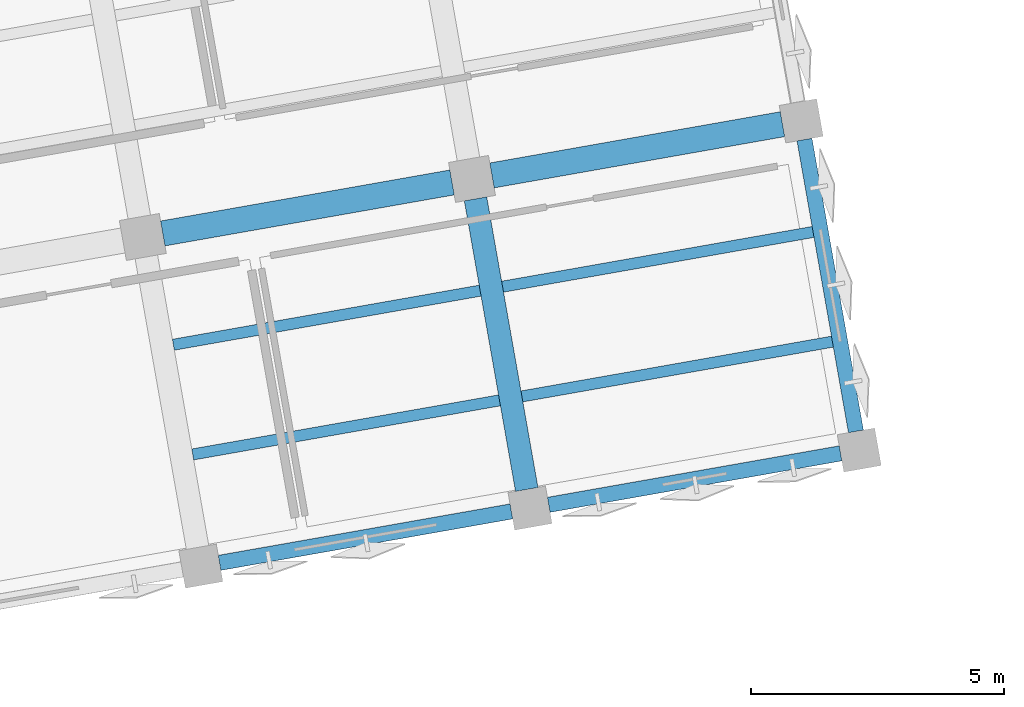
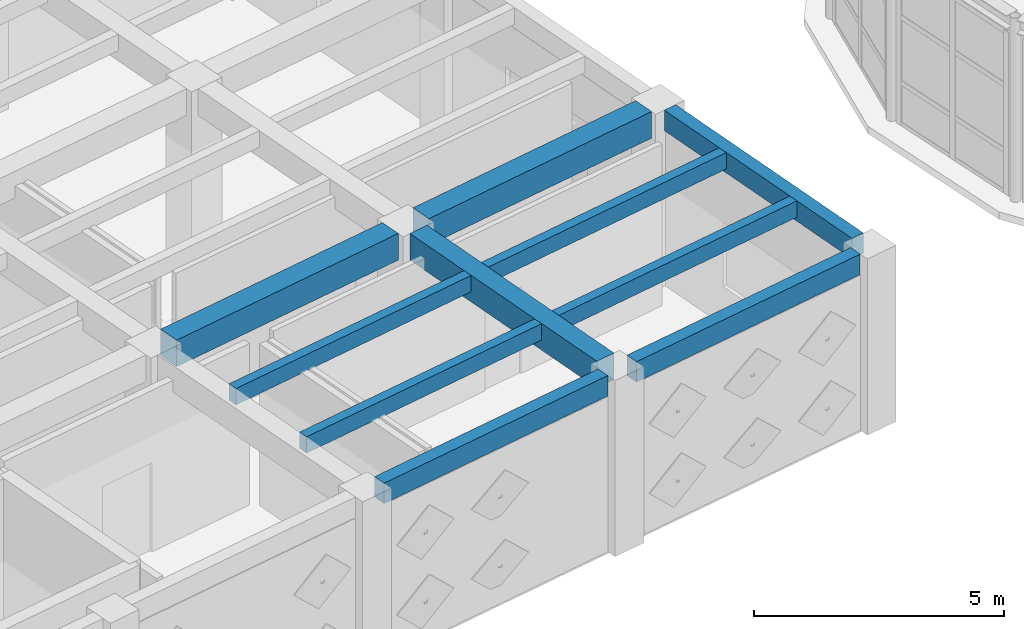
# One storey, part 24 of 80: 10 beams.
"""IFC4 building model written with IfcOpenShell, lengths in metres."""

import ifcopenshell
import ifcopenshell.guid

model = None  # the IFC model being written
_history = None  # IfcOwnerHistory: only IFC2X3 demands one
_inside = {}  # id of a spatial element -> (the spatial element, [elements in it])
_under = {}  # id of a project, library or spatial element -> (it, [spatial elements below it])
_declared = {}  # id of a project -> (the project, [libraries it declares])
_typed = {}  # id of a type object -> (the type object, [elements of that type])
_made_of = {}  # id of a material, layer set ... -> (it, [elements and type objects made of it])


def new_model(schema):
    """Start an empty IFC model of exactly this schema.

    Asked for "IFC4X3", IfcOpenShell would pick the latest addendum, in which some entities
    have other attributes; the version numbers below select the first issue.
    IFC2X3 requires an IfcOwnerHistory on every rooted entity: one is made here for all.
    """
    global model, _history
    if schema == "IFC4X3":
        model = ifcopenshell.file(schema_version=(4, 3, 0, 0))
    else:
        model = ifcopenshell.file(schema=schema)
    _inside.clear()
    _under.clear()
    _declared.clear()
    _typed.clear()
    _made_of.clear()
    _history = None
    if model.schema == "IFC2X3":
        org = make("IfcOrganization", Name="unknown")
        user = make(
            "IfcPersonAndOrganization",
            ThePerson=make("IfcPerson", FamilyName="unknown"),
            TheOrganization=org,
        )
        app = make(
            "IfcApplication",
            ApplicationDeveloper=org,
            Version="unknown",
            ApplicationFullName="unknown",
            ApplicationIdentifier="unknown",
        )
        _history = make(
            "IfcOwnerHistory",
            OwningUser=user,
            OwningApplication=app,
            ChangeAction="ADDED",
            CreationDate=0,
        )
    return model


def make(cls, **values):
    """One entity of the class cls with the attributes given. An attribute that is None is left unset."""
    return model.create_entity(
        cls, **{name: value for name, value in values.items() if value is not None}
    )


def rooted(cls, **values):
    """An entity with a GlobalId (a new one), such as an element, a storey or a relation."""
    return make(cls, GlobalId=ifcopenshell.guid.new(), OwnerHistory=_history, **values)


def si_unit(unit_type, name, prefix=None):
    """IfcSIUnit, for example si_unit("LENGTHUNIT", "METRE", prefix="MILLI")."""
    return make("IfcSIUnit", UnitType=unit_type, Prefix=prefix, Name=name)


def assignment(units):
    """IfcUnitAssignment: the units of a project."""
    return None if units is None else make("IfcUnitAssignment", Units=units)


def point(xyz):
    """IfcCartesianPoint."""
    return None if xyz is None else make("IfcCartesianPoint", Coordinates=xyz)


def direction(xyz):
    """IfcDirection."""
    return None if xyz is None else make("IfcDirection", DirectionRatios=xyz)


def frame(location, z_axis=None, x_axis=None):
    """IfcAxis2Placement3D, a coordinate frame: its origin and axes. An axis left out is left unset."""
    return make(
        "IfcAxis2Placement3D",
        Location=point(location),
        Axis=direction(z_axis),
        RefDirection=direction(x_axis),
    )


def frame_2d(location, x_axis=None):
    """IfcAxis2Placement2D, a coordinate frame in the plane: its origin and x axis."""
    return make(
        "IfcAxis2Placement2D", Location=point(location), RefDirection=direction(x_axis)
    )


def origin():
    """The frame at (0, 0, 0) with its axes left unset."""
    return frame((0.0, 0.0, 0.0))


def origin_2d():
    """The frame at (0, 0) in the plane with its x axis left unset."""
    return frame_2d((0.0, 0.0))


def place(relative_to, where):
    """IfcLocalPlacement: puts the frame where relative to a parent placement (None: the world)."""
    return make(
        "IfcLocalPlacement", PlacementRelTo=relative_to, RelativePlacement=where
    )


def context(
    kind, dimensions, precision=None, world=None, true_north=None, identifier=None
):
    """IfcGeometricRepresentationContext, for example the 3D "Model" context."""
    return make(
        "IfcGeometricRepresentationContext",
        ContextIdentifier=identifier,
        ContextType=kind,
        CoordinateSpaceDimension=dimensions,
        Precision=precision,
        WorldCoordinateSystem=world,
        TrueNorth=true_north,
    )


def subcontext(parent, identifier, kind, view, scale=None):
    """IfcGeometricRepresentationSubContext, for example "Body" below "Model"."""
    return make(
        "IfcGeometricRepresentationSubContext",
        ContextIdentifier=identifier,
        ContextType=kind,
        ParentContext=parent,
        TargetScale=scale,
        TargetView=view,
    )


def project(units=None, contexts=None):
    """IfcProject with its units and contexts."""
    return rooted(
        "IfcProject",
        Name="project",
        RepresentationContexts=contexts,
        UnitsInContext=assignment(units),
    )


def spatial(cls, under=None, at=None, **own):
    """A site, building, storey or space (cls), placed at a placement, below another one or the project."""
    s = rooted(cls, ObjectPlacement=at, **own)
    if under is not None:
        _under.setdefault(under.id(), (under, []))[1].append(s)
    return s


def profile(cls, at=None, kind="AREA", **sizes):
    """A parametric profile (cls). Its sizes go by their IFC names, for example OverallWidth=200.0."""
    return make(cls, ProfileType=kind, Position=at, **sizes)


def rectangle(**sizes):
    """IfcRectangleProfileDef."""
    return profile("IfcRectangleProfileDef", **sizes)


def extrude(swept, where, along, depth):
    """IfcExtrudedAreaSolid: the profile swept, set in the frame where, extruded along a direction by depth."""
    return make(
        "IfcExtrudedAreaSolid",
        SweptArea=swept,
        Position=where,
        ExtrudedDirection=direction(along),
        Depth=depth,
    )


def shape(context_of_items, identifier, shape_type, items):
    """IfcShapeRepresentation: the items that make up one representation, for example the "Body"."""
    return make(
        "IfcShapeRepresentation",
        ContextOfItems=context_of_items,
        RepresentationIdentifier=identifier,
        RepresentationType=shape_type,
        Items=items,
    )


def material(Name=None, Category=None):
    """IfcMaterial."""
    return make("IfcMaterial", Name=Name, Category=Category)


def material_profile(
    of_material, cross_section, Name=None, Category=None, Priority=None
):
    """IfcMaterialProfile: a cross section and its material."""
    return make(
        "IfcMaterialProfile",
        Name=Name,
        Material=of_material,
        Profile=cross_section,
        Priority=Priority,
        Category=Category,
    )


def profile_set(profiles, Name=None, composite=None):
    """IfcMaterialProfileSet."""
    return make(
        "IfcMaterialProfileSet",
        Name=Name,
        MaterialProfiles=profiles,
        CompositeProfile=composite,
    )


def made_of(thing, what):
    """Note that an element or type object is made of a material, layer set ...; save() writes the relation."""
    if what is not None:
        _made_of.setdefault(what.id(), (what, []))[1].append(thing)
    return thing


def type_object(cls, material=None, **own):
    """A type object (cls), such as IfcWallType, which elements share."""
    return made_of(rooted(cls, **own), material)


def element(
    cls,
    number,
    at=None,
    inside=None,
    cuts=None,
    type_object=None,
    material=None,
    context=None,
    identifier="Body",
    shape_type=None,
    held_by="IfcProductDefinitionShape",
    body=None,
    shapes=None,
    **own,
):
    """One element of the class cls, such as IfcWall. Its Tag is "e" and its number.

    at: its placement. inside: the storey or other place that contains it. cuts: it is an
    opening in that element (IfcRelVoidsElement). A single representation is given by context,
    identifier, shape_type and body (its items); several are given by shapes. held_by: the class
    of the entity that holds the representations. save() writes the other relations.
    """
    e = rooted(cls, Tag="e%d" % number, ObjectPlacement=at, **own)
    if body is not None:
        shapes = [shape(context, identifier, shape_type, body)]
    if shapes is not None:
        e.Representation = make(held_by, Representations=shapes)
    if inside is not None:
        _inside.setdefault(inside.id(), (inside, []))[1].append(e)
    if cuts is not None:
        rooted(
            "IfcRelVoidsElement", RelatingBuildingElement=cuts, RelatedOpeningElement=e
        )
    if type_object is not None:
        _typed.setdefault(type_object.id(), (type_object, []))[1].append(e)
    return made_of(e, material)


def aggregate(whole, parts):
    """IfcRelAggregates: a whole, such as a stair, and the parts it consists of."""
    return rooted("IfcRelAggregates", RelatingObject=whole, RelatedObjects=parts)


def save(model, path):
    """Write the relations noted so far, then the file.

    IfcRelAggregates (storeys below a building ...), IfcRelContainedInSpatialStructure (elements
    in a storey), IfcRelDefinesByType, IfcRelAssociatesMaterial and IfcRelDeclares: one each for
    every whole, place, type object, material and project.
    """
    for whole, parts in _under.values():
        aggregate(whole, parts)
    for where, things in _inside.values():
        rooted(
            "IfcRelContainedInSpatialStructure",
            RelatedElements=things,
            RelatingStructure=where,
        )
    for kind, things in _typed.values():
        rooted("IfcRelDefinesByType", RelatedObjects=things, RelatingType=kind)
    for what, things in _made_of.values():
        rooted("IfcRelAssociatesMaterial", RelatedObjects=things, RelatingMaterial=what)
    for by, libraries in _declared.values():
        rooted("IfcRelDeclares", RelatingContext=by, RelatedDefinitions=libraries)
    model.write(path)


model = new_model("IFC4")

# Units and contexts
model_context = context("Model", 3, precision=1e-05, world=origin(), true_north=direction((0.0, 1.0)))
body_context = subcontext(model_context, "Body", "Model", "MODEL_VIEW")
ifc_project = project(units=[si_unit("LENGTHUNIT", "METRE"), si_unit("AREAUNIT", "SQUARE_METRE"), si_unit("VOLUMEUNIT", "CUBIC_METRE"), si_unit("PLANEANGLEUNIT", "RADIAN"), si_unit("MASSUNIT", "GRAM", prefix="KILO")], contexts=[model_context])

# Site, building, storey
site_placement = place(None, origin())
site = spatial("IfcSite", under=ifc_project, at=site_placement, CompositionType="ELEMENT")
building_placement = place(site_placement, origin())
building = spatial("IfcBuilding", under=site, at=building_placement, Name="Kharisveld Research Institute", CompositionType="ELEMENT")
storey_placement = place(building_placement, frame((0.0, 0.0, 5.10009765625)))
storey = spatial("IfcBuildingStorey", under=building, at=storey_placement, Name="L01", CompositionType="ELEMENT", Elevation=5.10009765625)

# Beams
ifc_material_1 = material(Name="Concrete C40/50", Category="concrete")
ifc_material_profile_1 = material_profile(ifc_material_1, rectangle(XDim=0.449951171875, YDim=0.64990234375, at=origin_2d()))
ifc_profile_set_1 = profile_set([ifc_material_profile_1], Name="Concrete C40/50")
beam_type_1 = type_object("IfcBeamType", Name="BM_RC_450x650", PredefinedType="BEAM", material=ifc_profile_set_1)
beam_1_placement = place(storey_placement, frame((37.633544921875, 41.109619140625, 3.98486328125), z_axis=(-0.173641874505, 0.984808864409, 0.0), x_axis=(-0.984808864409, -0.173641874505, 0.0)))
element("IfcBeam", 1, at=beam_1_placement, inside=storey, type_object=beam_type_1, Name="BM:V1:L01:V5_0", PredefinedType="BEAM", context=body_context, shape_type="SweptSolid", body=[
    extrude(rectangle(XDim=0.449951171875, YDim=0.64990234375, at=origin_2d()), origin(), (0.0, 0.0, 1.0), 5.824951171875),
])
ifc_material_2 = material(Name="Concrete C40/50", Category="concrete")
ifc_material_profile_2 = material_profile(ifc_material_2, rectangle(XDim=0.5, YDim=0.64990234375, at=origin_2d()))
ifc_profile_set_2 = profile_set([ifc_material_profile_2], Name="Concrete C40/50")
beam_type_2 = type_object("IfcBeamType", Name="BM_RC_500x650", PredefinedType="BEAM", material=ifc_profile_set_2)
beam_2_placement = place(storey_placement, frame((30.44677734375, 46.16357421875, 3.98486328125), z_axis=(0.984810243831, 0.17363405094, 0.0), x_axis=(-0.17363405094, 0.984810243831, 0.0)))
element("IfcBeam", 2, at=beam_2_placement, inside=storey, type_object=beam_type_2, Name="BM:V1:L01:U4_1", PredefinedType="BEAM", context=body_context, shape_type="SweptSolid", body=[
    extrude(rectangle(XDim=0.5, YDim=0.64990234375, at=origin_2d()), origin(), (0.0, 0.0, 1.0), 5.800048828125),
])
beam_3_placement = place(storey_placement, frame((36.946533203125, 47.3095703125, 3.98486328125), z_axis=(0.984808864409, 0.173641874505, 0.0), x_axis=(-0.173641874505, 0.984808864409, 0.0)))
element("IfcBeam", 3, at=beam_3_placement, inside=storey, type_object=beam_type_2, Name="BM:V1:L01:U5_1", PredefinedType="BEAM", context=body_context, shape_type="SweptSolid", body=[
    extrude(rectangle(XDim=0.5, YDim=0.64990234375, at=origin_2d()), origin(), (0.0, 0.0, 1.0), 5.824951171875),
])
ifc_material_3 = material(Name="Concrete C40/50", Category="concrete")
ifc_material_profile_3 = material_profile(ifc_material_3, rectangle(XDim=0.300048828125, YDim=0.5, at=origin_2d()))
ifc_profile_set_3 = profile_set([ifc_material_profile_3], Name="Concrete C40/50")
beam_type_3 = type_object("IfcBeamType", Name="SP_RC_300x500", PredefinedType="SPANDREL", material=ifc_profile_set_3)
for number, where, z_axis, x_axis, name in (
    (4, (31.568115234375, 39.659423828125, 4.059814453125), (0.984807496737, 0.173649631067, 0.0), (-0.173649631067, 0.984807496737, 0.0), "BM:V1:L01:U4_0"),
    (5, (38.06787109375, 40.805419921875, 4.059814453125), (0.984807496737, 0.173649631067, 0.0), (-0.173649631067, 0.984807496737, 0.0), "BM:V1:L01:U5_0"),
):
    element("IfcBeam", number, at=place(storey_placement, frame(where, z_axis=z_axis, x_axis=x_axis)), inside=storey, type_object=beam_type_3, Name=name, PredefinedType="SPANDREL", context=body_context, shape_type="SweptSolid", body=[
        extrude(rectangle(XDim=0.300048828125, YDim=0.5, at=origin_2d()), origin(), (0.0, 0.0, 1.0), 5.85009765625),
    ])
beam_4_placement = place(storey_placement, frame((44.13330078125, 42.255859375, 4.059814453125), z_axis=(-0.17365676812, 0.984806238245, 0.0), x_axis=(-0.984806238245, -0.17365676812, 0.0)))
element("IfcBeam", 6, at=beam_4_placement, inside=storey, type_object=beam_type_3, Name="BM:V1:L01:V6_0", PredefinedType="SPANDREL", context=body_context, shape_type="SweptSolid", body=[
    extrude(rectangle(XDim=0.300048828125, YDim=0.5, at=origin_2d()), origin(), (0.0, 0.0, 1.0), 5.849853515625),
])
ifc_material_4 = material(Name="Concrete C40/50", Category="concrete")
ifc_material_profile_4 = material_profile(ifc_material_4, rectangle(XDim=0.219970703125, YDim=0.39990234375, at=origin_2d()))
ifc_profile_set_4 = profile_set([ifc_material_profile_4], Name="Concrete C40/50")
beam_type_4 = type_object("IfcBeamType", Name="WB_RC_220x400", PredefinedType="JOIST", material=ifc_profile_set_4)
beam_5_placement = place(storey_placement, frame((31.03857421875, 41.800048828125, 4.10986328125), z_axis=(0.984808726596, 0.17364265611, 0.0), x_axis=(-0.17364265611, 0.984808726596, 0.0)))
element("IfcBeam", 7, at=beam_5_placement, inside=storey, type_object=beam_type_4, Name="BM:V1:L01:J_4_0_R1", PredefinedType="JOIST", context=body_context, shape_type="SweptSolid", body=[
    extrude(rectangle(XDim=0.219970703125, YDim=0.39990234375, at=origin_2d()), origin(), (0.0, 0.0, 1.0), 6.14990234375),
])
beam_6_placement = place(storey_placement, frame((30.656494140625, 43.966552734375, 4.10986328125), z_axis=(0.984809923515, 0.173635867682, 0.0), x_axis=(-0.173635867682, 0.984809923515, 0.0)))
element("IfcBeam", 8, at=beam_6_placement, inside=storey, type_object=beam_type_4, Name="BM:V1:L01:J_4_0_R2", PredefinedType="JOIST", context=body_context, shape_type="SweptSolid", body=[
    extrude(rectangle(XDim=0.219970703125, YDim=0.39990234375, at=origin_2d()), origin(), (0.0, 0.0, 1.0), 6.150146484375),
])
for number, where, z_axis, x_axis, name in (
    (9, (37.538330078125, 42.946044921875, 4.10986328125), (0.984804872144, 0.173664515088, 0.0), (-0.173664515088, 0.984804872144, 0.0), "BM:V1:L01:J_5_0_R1"),
    (10, (37.15625, 45.112548828125, 4.10986328125), (0.984804872144, 0.173664515088, 0.0), (-0.173664515088, 0.984804872144, 0.0), "BM:V1:L01:J_5_0_R2"),
):
    element("IfcBeam", number, at=place(storey_placement, frame(where, z_axis=z_axis, x_axis=x_axis)), inside=storey, type_object=beam_type_4, Name=name, PredefinedType="JOIST", context=body_context, shape_type="SweptSolid", body=[
        extrude(rectangle(XDim=0.219970703125, YDim=0.39990234375, at=origin_2d()), origin(), (0.0, 0.0, 1.0), 6.224853515625),
    ])

save(model, "model.ifc")
